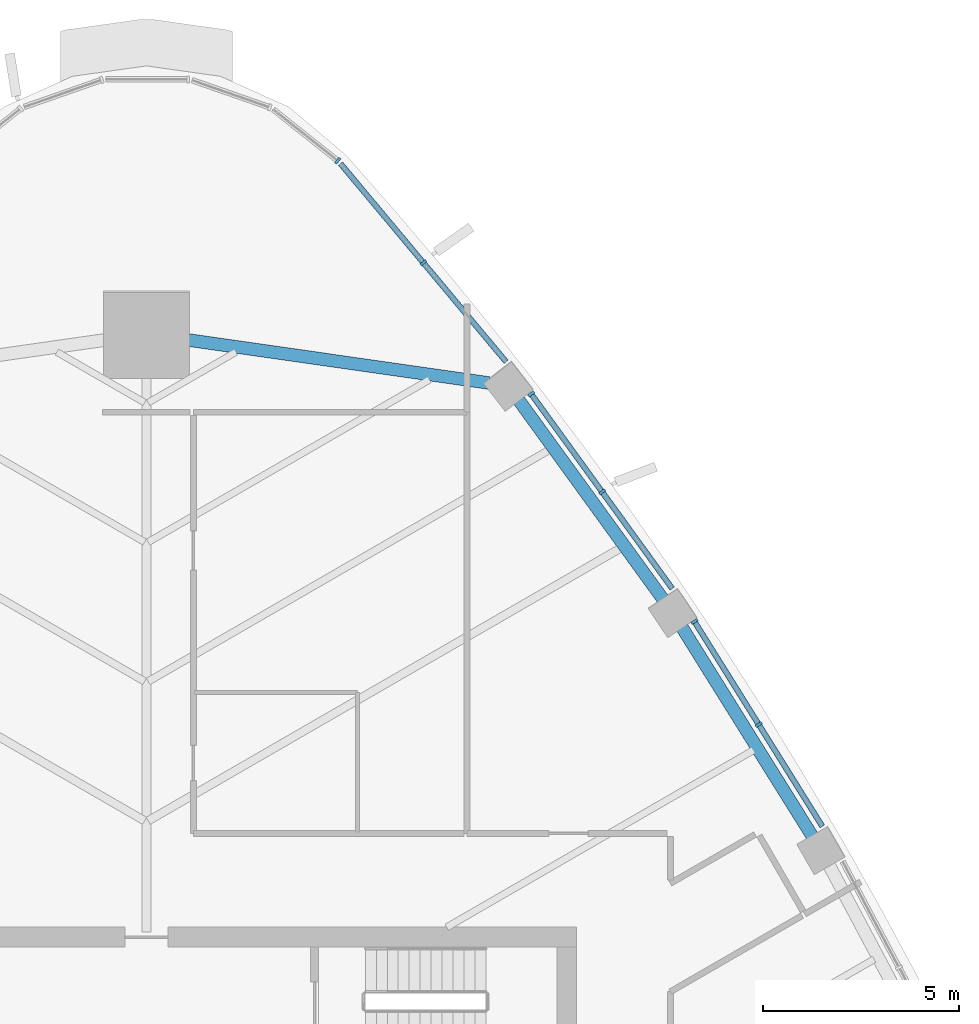
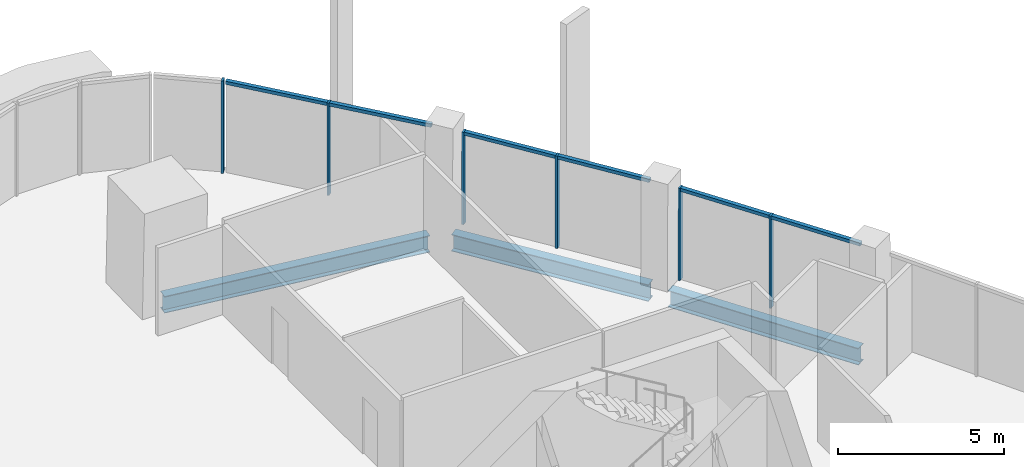
# One storey, part 6 of 19: 12 members, 3 beams, 4 elements without a shape of their own.
"""IFC4 building model written with IfcOpenShell, lengths in metres."""

from ifc_helpers import new_model, si_unit, direction, frame, origin, origin_2d, place, context, subcontext, project, spatial, rectangle, i_section, extrude, material, layer, layer_set, material_profile, profile_set, type_object, element, aggregate, save


model = new_model("IFC4")

# Units and contexts
model_context = context("Model", 3, precision=1e-05, world=origin(), true_north=direction((0.0, 1.0)))
body_context = subcontext(model_context, "Body", "Model", "MODEL_VIEW")
ifc_project = project(units=[si_unit("LENGTHUNIT", "METRE"), si_unit("AREAUNIT", "SQUARE_METRE"), si_unit("VOLUMEUNIT", "CUBIC_METRE"), si_unit("PLANEANGLEUNIT", "RADIAN"), si_unit("MASSUNIT", "GRAM", prefix="KILO")], contexts=[model_context])

# Site, building, storey
site_placement = place(None, origin())
site = spatial("IfcSite", under=ifc_project, at=site_placement, CompositionType="ELEMENT")
building_placement = place(site_placement, origin())
building = spatial("IfcBuilding", under=site, at=building_placement, Name="Sierra Prisma Convention Tower", CompositionType="ELEMENT")
storey_placement = place(building_placement, frame((0.0, 0.0, 311.0)))
storey = spatial("IfcBuildingStorey", under=building, at=storey_placement, Name="L71", CompositionType="ELEMENT", Elevation=311.0)

# Curtain wall, members
ifc_material_1 = material(Name="Aluminium and glass curtain wall", Category="aluminium")
ifc_layer = layer(ifc_material_1, 0.179931640625)
ifc_layer_set = layer_set([ifc_layer], Name="CW-1 Plain shaft curtain wall")
curtain_wall_type = type_object("IfcCurtainWallType", Name="CW-1 Plain shaft curtain wall", PredefinedType="NOTDEFINED", material=ifc_layer_set)
curtain_wall_1_placement = place(storey_placement, origin())
curtain_wall_1 = element("IfcCurtainWall", 1, at=curtain_wall_1_placement, inside=storey, type_object=curtain_wall_type, Name="CW-1 NE4 L71", PredefinedType="NOTDEFINED")
ifc_material_2 = material(Name="Aluminium 6063-T6 bronze anodised", Category="aluminium")
ifc_material_profile_1 = material_profile(ifc_material_2, rectangle(XDim=0.179931640625, YDim=0.070068359375, at=origin_2d()), Name="ALU MULLION 70x180")
ifc_profile_set_1 = profile_set([ifc_material_profile_1], Name="Aluminium 6063-T6 bronze anodised")
member_type_1 = type_object("IfcMemberType", Name="CW mullion bronze", PredefinedType="MULLION", material=ifc_profile_set_1)
member_1_placement = place(storey_placement, frame((15.660400390625, 13.1845703125, 0.0), z_axis=(0.0, 0.0, 1.0), x_axis=(-0.848254111497, -0.529589428074, 0.0)))
member_1 = element("IfcMember", 2, at=member_1_placement, type_object=member_type_1, Name="CW-1 mullion NE4.2", PredefinedType="MULLION", context=body_context, shape_type="SweptSolid", body=[
    extrude(rectangle(XDim=0.179931640625, YDim=0.070068359375, at=origin_2d()), origin(), (0.0, 0.0, 1.0), 3.39990234375),
])
member_2_placement = place(storey_placement, frame((14.01611328125, 15.818359375, 0.0), z_axis=(0.0, 0.0, 1.0), x_axis=(-0.848254111497, -0.529589428074, 0.0)))
member_2 = element("IfcMember", 3, at=member_2_placement, type_object=member_type_1, Name="CW-1 mullion NE4.3", PredefinedType="MULLION", context=body_context, shape_type="SweptSolid", body=[
    extrude(rectangle(XDim=0.179931640625, YDim=0.070068359375, at=origin_2d()), origin(), (0.0, 0.0, 1.0), 3.39990234375),
])

curtain_wall_2_placement = place(storey_placement, origin())
curtain_wall_2 = element("IfcCurtainWall", 4, at=curtain_wall_2_placement, inside=storey, type_object=curtain_wall_type, Name="CW-1 NE5 L71", PredefinedType="NOTDEFINED")
member_3_placement = place(storey_placement, frame((11.655029296875, 19.134521484375, 0.0), z_axis=(0.0, 0.0, 1.0), x_axis=(-0.80970219231, -0.586841000416, 0.0)))
member_3 = element("IfcMember", 5, at=member_3_placement, type_object=member_type_1, Name="CW-1 mullion NE5.2", PredefinedType="MULLION", context=body_context, shape_type="SweptSolid", body=[
    extrude(rectangle(XDim=0.179931640625, YDim=0.070068359375, at=origin_2d()), origin(), (0.0, 0.0, 1.0), 3.39990234375),
])
member_4_placement = place(storey_placement, frame((9.841552734375, 21.636474609375, 0.0), z_axis=(0.0, 0.0, 1.0), x_axis=(-0.80970219231, -0.586841000416, 0.0)))
member_4 = element("IfcMember", 6, at=member_4_placement, type_object=member_type_1, Name="CW-1 mullion NE5.3", PredefinedType="MULLION", context=body_context, shape_type="SweptSolid", body=[
    extrude(rectangle(XDim=0.179931640625, YDim=0.070068359375, at=origin_2d()), origin(), (0.0, 0.0, 1.0), 3.39990234375),
])

# Curtain wall, member
curtain_wall_3_placement = place(storey_placement, origin())
curtain_wall_3 = element("IfcCurtainWall", 7, at=curtain_wall_3_placement, inside=storey, type_object=curtain_wall_type, Name="CW-1 NE6 L71", PredefinedType="NOTDEFINED")
member_5_placement = place(storey_placement, frame((7.08203125, 24.994873046875, 0.0), z_axis=(0.0, 0.0, 1.0), x_axis=(-0.767292857539, -0.641296866334, 0.0)))
member_5 = element("IfcMember", 8, at=member_5_placement, type_object=member_type_1, Name="CW-1 mullion NE6.2", PredefinedType="MULLION", context=body_context, shape_type="SweptSolid", body=[
    extrude(rectangle(XDim=0.179931640625, YDim=0.070068359375, at=origin_2d()), origin(), (0.0, 0.0, 1.0), 3.39990234375),
])

curtain_wall_4_placement = place(storey_placement, origin())
curtain_wall_4 = element("IfcCurtainWall", 9, at=curtain_wall_4_placement, inside=storey, type_object=curtain_wall_type, Name="CW-1 N1 L71", PredefinedType="NOTDEFINED")
member_6_placement = place(storey_placement, frame((4.89306640625, 27.603271484375, 0.0), z_axis=(0.0, 0.0, 1.0), x_axis=(-0.622609590015, -0.78253261812, 0.0)))
member_6 = element("IfcMember", 10, at=member_6_placement, type_object=member_type_1, Name="CW-1 mullion N1.1", PredefinedType="MULLION", context=body_context, shape_type="SweptSolid", body=[
    extrude(rectangle(XDim=0.179931640625, YDim=0.070068359375, at=origin_2d()), origin(), (0.0, 0.0, 1.0), 3.39990234375),
])
aggregate(curtain_wall_4, [member_6])

# Member
ifc_material_3 = material(Name="Aluminium 6063-T6 bronze anodised", Category="aluminium")
ifc_material_profile_2 = material_profile(ifc_material_3, rectangle(XDim=0.139892578125, YDim=0.1201171875, at=origin_2d()), Name="ALU TRANSOM 120x140")
ifc_profile_set_2 = profile_set([ifc_material_profile_2], Name="Aluminium 6063-T6 bronze anodised")
member_type_2 = type_object("IfcMemberType", Name="CW transom bronze", PredefinedType="USERDEFINED", material=ifc_profile_set_2)
member_7_placement = place(storey_placement, frame((17.286376953125, 10.580322265625, 3.340087890625), z_axis=(-0.529615667045, 0.84823772919, 0.0), x_axis=(-0.84823772919, -0.529615667045, 0.0)))
member_7 = element("IfcMember", 11, at=member_7_placement, type_object=member_type_2, Name="CW-1 transom NE4.1", ObjectType="TRANSOM", PredefinedType="USERDEFINED", context=body_context, shape_type="SweptSolid", body=[
    extrude(rectangle(XDim=0.139892578125, YDim=0.1201171875, at=origin_2d()), origin(), (0.0, 0.0, 1.0), 3.03515625),
])

member_8_placement = place(storey_placement, frame((15.641845703125, 13.21435546875, 3.340087890625), z_axis=(-0.529557786324, 0.848273865531, 0.0), x_axis=(-0.848273865531, -0.529557786324, 0.0)))
member_8 = element("IfcMember", 12, at=member_8_placement, type_object=member_type_2, Name="CW-1 transom NE4.2", ObjectType="TRANSOM", PredefinedType="USERDEFINED", context=body_context, shape_type="SweptSolid", body=[
    extrude(rectangle(XDim=0.139892578125, YDim=0.1201171875, at=origin_2d()), origin(), (0.0, 0.0, 1.0), 3.034912109375),
])

aggregate(curtain_wall_1, [member_1, member_2, member_7, member_8])

member_9_placement = place(storey_placement, frame((13.44775390625, 16.660888671875, 3.340087890625), z_axis=(-0.58682979098, 0.809710316359, 0.0), x_axis=(-0.809710316359, -0.58682979098, 0.0)))
member_9 = element("IfcMember", 13, at=member_9_placement, type_object=member_type_2, Name="CW-1 transom NE5.1", ObjectType="TRANSOM", PredefinedType="USERDEFINED", context=body_context, shape_type="SweptSolid", body=[
    extrude(rectangle(XDim=0.139892578125, YDim=0.1201171875, at=origin_2d()), origin(), (0.0, 0.0, 1.0), 3.02001953125),
])

member_10_placement = place(storey_placement, frame((11.634521484375, 19.162841796875, 3.340087890625), z_axis=(-0.58682979098, 0.809710316359, 0.0), x_axis=(-0.809710316359, -0.58682979098, 0.0)))
member_10 = element("IfcMember", 14, at=member_10_placement, type_object=member_type_2, Name="CW-1 transom NE5.2", ObjectType="TRANSOM", PredefinedType="USERDEFINED", context=body_context, shape_type="SweptSolid", body=[
    extrude(rectangle(XDim=0.139892578125, YDim=0.1201171875, at=origin_2d()), origin(), (0.0, 0.0, 1.0), 3.02001953125),
])

aggregate(curtain_wall_2, [member_3, member_4, member_9, member_10])

member_11_placement = place(storey_placement, frame((9.198974609375, 22.462158203125, 3.340087890625), z_axis=(-0.64131604612, 0.76727682683, 0.0), x_axis=(-0.76727682683, -0.64131604612, 0.0)))
member_11 = element("IfcMember", 15, at=member_11_placement, type_object=member_type_2, Name="CW-1 transom NE6.1", ObjectType="TRANSOM", PredefinedType="USERDEFINED", context=body_context, shape_type="SweptSolid", body=[
    extrude(rectangle(XDim=0.139892578125, YDim=0.1201171875, at=origin_2d()), origin(), (0.0, 0.0, 1.0), 3.265869140625),
])

member_12_placement = place(storey_placement, frame((7.059814453125, 25.021728515625, 3.340087890625), z_axis=(-0.641279263435, 0.767307569549, 0.0), x_axis=(-0.767307569549, -0.641279263435, 0.0)))
member_12 = element("IfcMember", 16, at=member_12_placement, type_object=member_type_2, Name="CW-1 transom NE6.2", ObjectType="TRANSOM", PredefinedType="USERDEFINED", context=body_context, shape_type="SweptSolid", body=[
    extrude(rectangle(XDim=0.139892578125, YDim=0.1201171875, at=origin_2d()), origin(), (0.0, 0.0, 1.0), 3.26611328125),
])

aggregate(curtain_wall_3, [member_5, member_11, member_12])

# Beams
ifc_material_4 = material(Name="Steel ASTM A992 Gr 50", Category="steel")
ifc_material_profile_3 = material_profile(ifc_material_4, i_section(OverallWidth=0.324951171875, OverallDepth=0.615966796875, WebThickness=0.013916015625, FlangeThickness=0.021484375, at=origin_2d()), Name="W610x174")
ifc_profile_set_3 = profile_set([ifc_material_profile_3], Name="Steel ASTM A992 Gr 50")
beam_type = type_object("IfcBeamType", Name="Spandrel beam W610x174", PredefinedType="BEAM", material=ifc_profile_set_3)
for number, where, z_axis, x_axis, name in (
    (17, (17.083740234375, 10.244384765625, -0.4580078125), (-0.529577315398, 0.848261673669, 0.0), (-0.848261673669, -0.529577315398, 0.0), "Spandrel L71-10"),
    (18, (13.268798828125, 16.311767578125, -0.4580078125), (-0.586839067065, 0.809703593525, 0.0), (-0.809703593525, -0.586839067065, 0.0), "Spandrel L71-11"),
):
    element("IfcBeam", number, at=place(storey_placement, frame(where, z_axis=z_axis, x_axis=x_axis)), inside=storey, type_object=beam_type, Name=name, PredefinedType="BEAM", context=body_context, shape_type="SweptSolid", body=[
        extrude(i_section(OverallWidth=0.324951171875, OverallDepth=0.615966796875, WebThickness=0.013916015625, FlangeThickness=0.021484375, at=origin_2d()), origin(), (0.0, 0.0, 1.0), 6.507080078125),
    ])
beam_placement = place(storey_placement, frame((8.75634765625, 21.919677734375, -0.4580078125), z_axis=(-0.989929665529, 0.141560083731, 0.0), x_axis=(-0.141560083731, -0.989929665529, 0.0)))
element("IfcBeam", 19, at=beam_placement, inside=storey, type_object=beam_type, Name="Spandrel L71-12", PredefinedType="BEAM", context=body_context, shape_type="SweptSolid", body=[
    extrude(i_section(OverallWidth=0.324951171875, OverallDepth=0.615966796875, WebThickness=0.013916015625, FlangeThickness=0.021484375, at=origin_2d()), origin(), (0.0, 0.0, 1.0), 8.623291015625),
])

save(model, "model.ifc")
